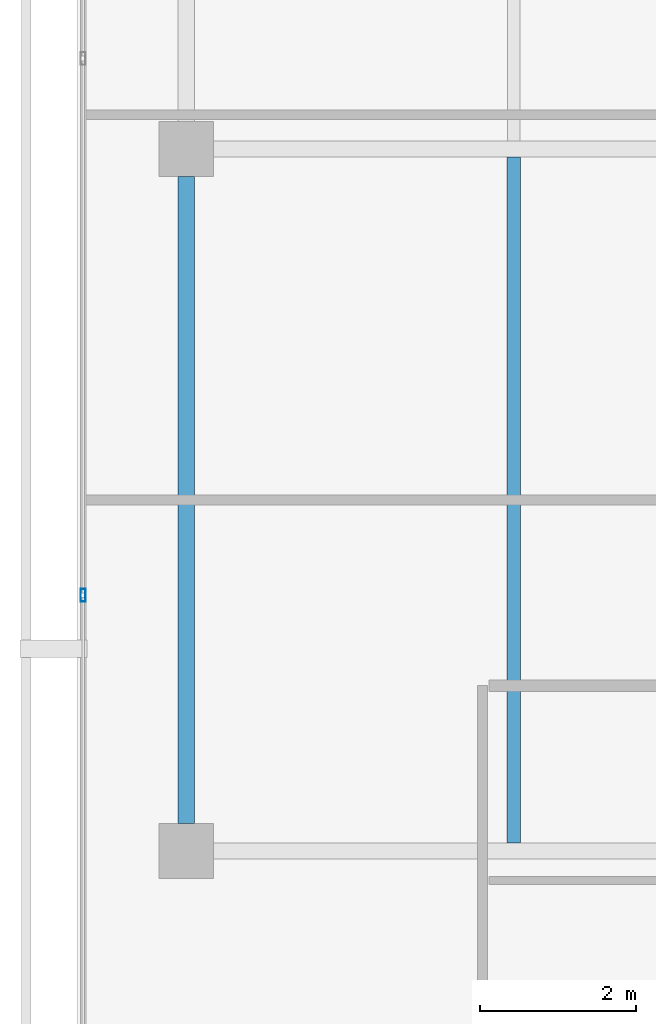
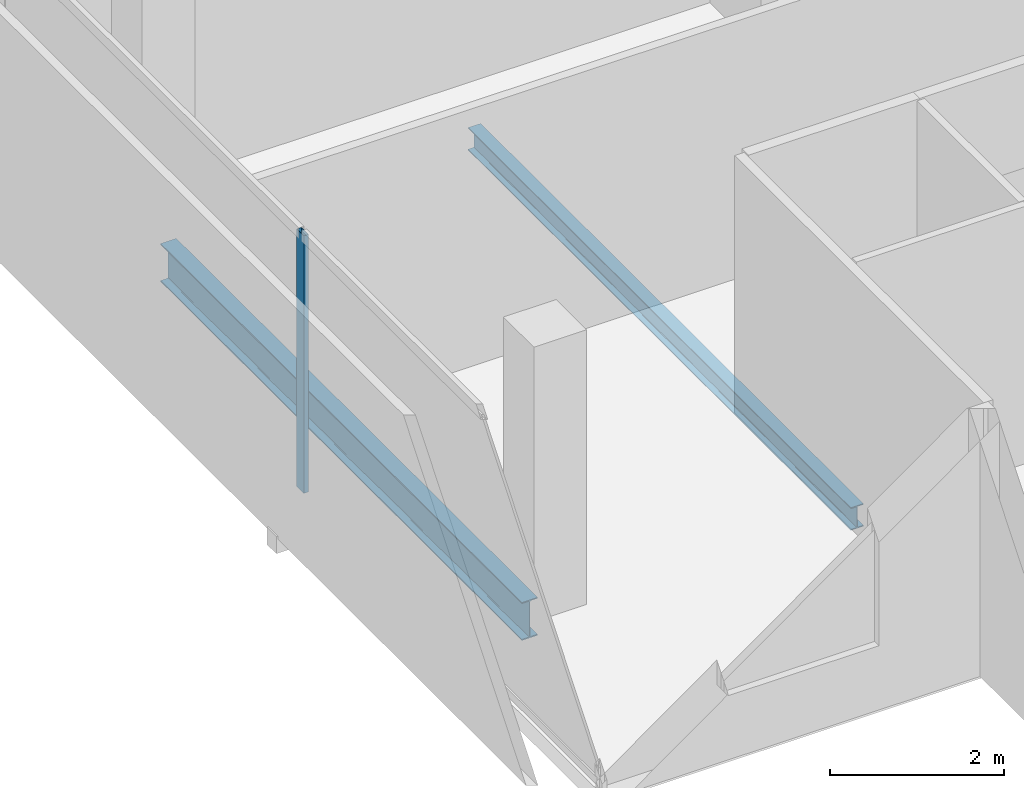
# One storey, part 4 of 26: 2 beams, 1 member, 1 element without a shape of its own.
"""IFC4 building model written with IfcOpenShell, lengths in metres."""

from ifc_helpers import new_model, si_unit, direction, frame, origin, origin_2d, place, context, subcontext, project, spatial, hollow_rectangle, i_section, extrude, material, layer, layer_set, material_profile, profile_set, type_object, element, aggregate, save


model = new_model("IFC4")

# Units and contexts
model_context = context("Model", 3, precision=1e-05, world=origin(), true_north=direction((0.0, 1.0)))
body_context = subcontext(model_context, "Body", "Model", "MODEL_VIEW")
ifc_project = project(units=[si_unit("LENGTHUNIT", "METRE"), si_unit("AREAUNIT", "SQUARE_METRE"), si_unit("VOLUMEUNIT", "CUBIC_METRE"), si_unit("PLANEANGLEUNIT", "RADIAN"), si_unit("MASSUNIT", "GRAM", prefix="KILO")], contexts=[model_context])

# Site, building, storey
site_placement = place(None, origin())
site = spatial("IfcSite", under=ifc_project, at=site_placement, CompositionType="ELEMENT")
building_placement = place(site_placement, origin())
building = spatial("IfcBuilding", under=site, at=building_placement, Name="Maruvema Waterfront Hotel and Observation Tower", CompositionType="ELEMENT")
storey_placement = place(building_placement, frame((0.0, 0.0, 258.64990234375)))
storey = spatial("IfcBuildingStorey", under=building, at=storey_placement, Name="L63", CompositionType="ELEMENT", Elevation=258.64990234375)

# Curtain wall, member
ifc_material_1 = material(Name="Anodised bronze aluminium and solar-control low-E IGU", Category="aluminium")
ifc_layer = layer(ifc_material_1, 0.159912109375, Name="Zone 3 Champagne Inner Thermal Curtain Wall System CW-04")
ifc_layer_set = layer_set([ifc_layer], Name="Anodised bronze aluminium and solar-control low-E IGU")
curtain_wall_type = type_object("IfcCurtainWallType", Name="Zone 3 Champagne Inner Thermal Curtain Wall System CW-04", PredefinedType="USERDEFINED", material=ifc_layer_set)
curtain_wall_placement = place(storey_placement, origin())
curtain_wall = element("IfcCurtainWall", 1, at=curtain_wall_placement, inside=storey, type_object=curtain_wall_type, Name="L63 Curtain Wall CW-L63-W", ObjectType="UNITISED CURTAIN WALL", PredefinedType="USERDEFINED")
ifc_material_2 = material(Name="Anodised architectural bronze aluminium", Category="aluminium")
ifc_material_profile_1 = material_profile(ifc_material_2, hollow_rectangle(XDim=0.06494140625, YDim=0.1650390625, WallThickness=0.00390625, at=origin_2d()), Name="ALU-M65x165")
ifc_profile_set_1 = profile_set([ifc_material_profile_1], Name="Anodised architectural bronze aluminium")
member_type = type_object("IfcMemberType", Name="Curtain Wall Primary Mullion ALU-M65x165", PredefinedType="MULLION", material=ifc_profile_set_1)
member_placement = place(storey_placement, frame((15.47998046875, 21.280029296875, 0.0), z_axis=(0.0, 0.0, 1.0), x_axis=(1.0, 0.0, 0.0)))
member = element("IfcMember", 2, at=member_placement, type_object=member_type, Name="CW-04 mullion 5", PredefinedType="MULLION", context=body_context, shape_type="SweptSolid", body=[
    extrude(hollow_rectangle(XDim=0.06494140625, YDim=0.1650390625, WallThickness=0.00390625, at=origin_2d()), origin(), (0.0, 0.0, 1.0), 3.610107421875),
])
aggregate(curtain_wall, [member])

# Beams
ifc_material_3 = material(Name="Steel ASTM A572 Grade 50", Category="steel")
ifc_material_profile_2 = material_profile(ifc_material_3, i_section(OverallWidth=0.208984375, OverallDepth=0.532958984375, WebThickness=0.01025390625, FlangeThickness=0.015625, FilletRadius=0.014892578125, at=origin_2d()), Name="W530x92.0")
ifc_profile_set_2 = profile_set([ifc_material_profile_2], Name="Steel ASTM A572 Grade 50")
beam_type_1 = type_object("IfcBeamType", Name="Primary Floor Girder W530x92.0", PredefinedType="BEAM", material=ifc_profile_set_2)
beam_1_placement = place(storey_placement, frame((16.800048828125, 18.35009765625, -0.50634765625), z_axis=(0.0, 1.0, 0.0), x_axis=(-1.0, 0.0, 0.0)))
element("IfcBeam", 3, at=beam_1_placement, inside=storey, type_object=beam_type_1, Name="L63 Floor Girder NS-01", PredefinedType="BEAM", context=body_context, shape_type="SweptSolid", body=[
    extrude(i_section(OverallWidth=0.208984375, OverallDepth=0.532958984375, WebThickness=0.01025390625, FlangeThickness=0.015625, FilletRadius=0.014892578125, at=origin_2d()), origin(), (0.0, 0.0, 1.0), 8.2998046875),
])
ifc_material_4 = material(Name="Steel ASTM A572 Grade 50", Category="steel")
ifc_material_profile_3 = material_profile(ifc_material_4, i_section(OverallWidth=0.1669921875, OverallDepth=0.31689453125, WebThickness=0.007568359375, FlangeThickness=0.01318359375, FilletRadius=0.012939453125, at=origin_2d()), Name="W310x52.0")
ifc_profile_set_3 = profile_set([ifc_material_profile_3], Name="Steel ASTM A572 Grade 50")
beam_type_2 = type_object("IfcBeamType", Name="Secondary Floor Joist W310x52.0", PredefinedType="JOIST", material=ifc_profile_set_3)
beam_2_placement = place(storey_placement, frame((21.0, 18.1044921875, -0.3984375), z_axis=(0.0, 1.0, 0.0), x_axis=(-1.0, 0.0, 0.0)))
element("IfcBeam", 4, at=beam_2_placement, inside=storey, type_object=beam_type_2, Name="L63 Secondary Floor Joist JS-01", PredefinedType="JOIST", context=body_context, shape_type="SweptSolid", body=[
    extrude(i_section(OverallWidth=0.1669921875, OverallDepth=0.31689453125, WebThickness=0.007568359375, FlangeThickness=0.01318359375, FilletRadius=0.012939453125, at=origin_2d()), origin(), (0.0, 0.0, 1.0), 8.791015625),
])

save(model, "model.ifc")
